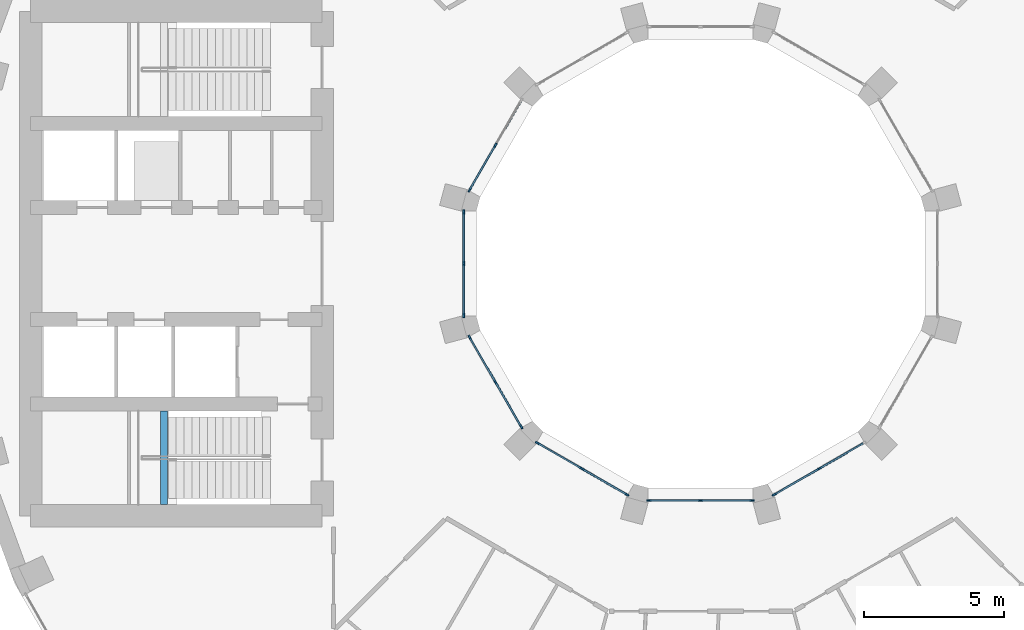
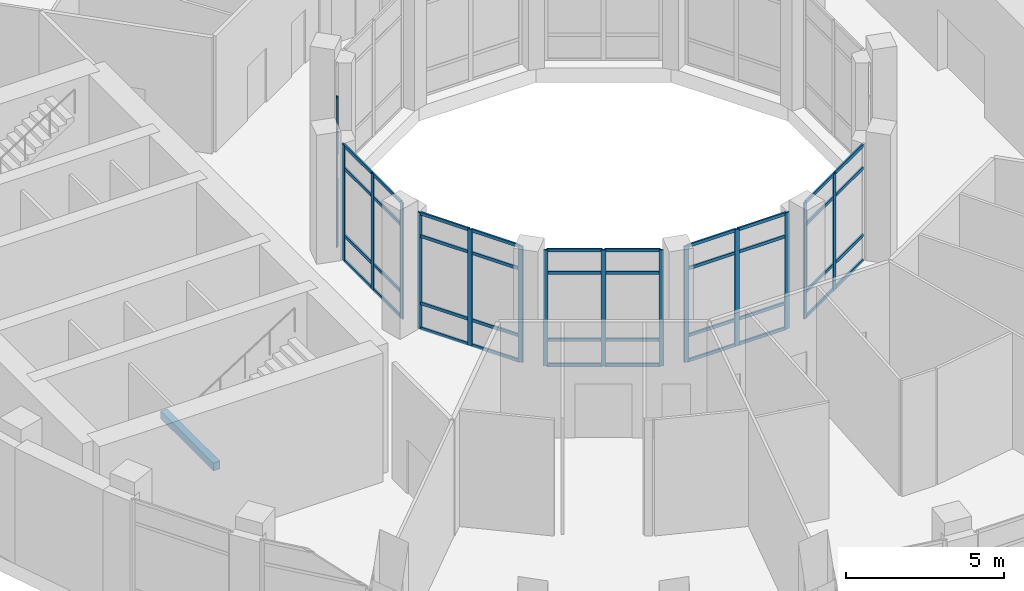
# One storey, part 3 of 18: 61 members, 1 beam, 6 elements without a shape of their own.
"""IFC4 building model written with IfcOpenShell, lengths in metres."""

from ifc_helpers import new_model, si_unit, direction, frame, origin, origin_2d, place, context, subcontext, project, spatial, rectangle, extrude, material, layer, layer_set, material_profile, profile_set, type_object, element, aggregate, save


model = new_model("IFC4")

# Units and contexts
model_context = context("Model", 3, precision=1e-05, world=origin(), true_north=direction((0.0, 1.0)))
body_context = subcontext(model_context, "Body", "Model", "MODEL_VIEW")
ifc_project = project(units=[si_unit("LENGTHUNIT", "METRE"), si_unit("AREAUNIT", "SQUARE_METRE"), si_unit("VOLUMEUNIT", "CUBIC_METRE"), si_unit("PLANEANGLEUNIT", "RADIAN"), si_unit("MASSUNIT", "GRAM", prefix="KILO")], contexts=[model_context])

# Site, building, storey
site_placement = place(None, origin())
site = spatial("IfcSite", under=ifc_project, at=site_placement, CompositionType="ELEMENT")
building_placement = place(site_placement, origin())
building = spatial("IfcBuilding", under=site, at=building_placement, Name="Saqina Gate Tower", CompositionType="ELEMENT")
storey_placement = place(building_placement, frame((0.0, 0.0, 86.89990234375)))
storey = spatial("IfcBuildingStorey", under=building, at=storey_placement, Name="L24", CompositionType="ELEMENT", Elevation=86.89990234375)

# Curtain wall, members
ifc_material_1 = material(Name="Aluminium glazing", Category="aluminium")
ifc_layer = layer(ifc_material_1, 0.159912109375)
ifc_layer_set = layer_set([ifc_layer], Name="CWT-3")
curtain_wall_type = type_object("IfcCurtainWallType", Name="CWT-3", PredefinedType="NOTDEFINED", material=ifc_layer_set)
curtain_wall_1_placement = place(storey_placement, origin())
curtain_wall_1 = element("IfcCurtainWall", 1, at=curtain_wall_1_placement, inside=storey, type_object=curtain_wall_type, Name="Sky lounge well glazing L24 facet 5", PredefinedType="NOTDEFINED")
ifc_material_2 = material(Name="Aluminium", Category="aluminium")
ifc_material_profile_1 = material_profile(ifc_material_2, rectangle(XDim=0.06005859375, YDim=0.159912109375, at=origin_2d()), Name="Aluminium 60x160")
ifc_profile_set_1 = profile_set([ifc_material_profile_1], Name="Aluminium")
member_type_1 = type_object("IfcMemberType", Name="CWT-3M", PredefinedType="MULLION", material=ifc_profile_set_1)
member_1_placement = place(storey_placement, frame((-7.31787109375, 4.22509765625, 0.0), z_axis=(0.0, 0.0, 1.0), x_axis=(0.866029166445, -0.499993482823, 0.0)))
member_1 = element("IfcMember", 2, at=member_1_placement, type_object=member_type_1, Name="CW3-05 mullion 2", PredefinedType="MULLION", context=body_context, shape_type="SweptSolid", body=[
    extrude(rectangle(XDim=0.06005859375, YDim=0.159912109375, at=origin_2d()), origin(), (0.0, 0.0, 1.0), 4.5),
])
member_2_placement = place(storey_placement, frame((-8.23974609375, 2.628173828125, 0.0), z_axis=(0.0, 0.0, 1.0), x_axis=(0.866029166445, -0.499993482823, 0.0)))
member_2 = element("IfcMember", 3, at=member_2_placement, type_object=member_type_1, Name="CW3-05 mullion 3", PredefinedType="MULLION", context=body_context, shape_type="SweptSolid", body=[
    extrude(rectangle(XDim=0.06005859375, YDim=0.159912109375, at=origin_2d()), origin(), (0.0, 0.0, 1.0), 4.5),
])

curtain_wall_2_placement = place(storey_placement, origin())
curtain_wall_2 = element("IfcCurtainWall", 4, at=curtain_wall_2_placement, inside=storey, type_object=curtain_wall_type, Name="Sky lounge well glazing L24 facet 6", PredefinedType="NOTDEFINED")
member_3_placement = place(storey_placement, frame((-8.449951171875, 1.84375, 0.0), z_axis=(0.0, 0.0, 1.0), x_axis=(1.0, 0.0, 0.0)))
member_3 = element("IfcMember", 5, at=member_3_placement, type_object=member_type_1, Name="CW3-06 mullion 1", PredefinedType="MULLION", context=body_context, shape_type="SweptSolid", body=[
    extrude(rectangle(XDim=0.06005859375, YDim=0.159912109375, at=origin_2d()), origin(), (0.0, 0.0, 1.0), 4.5),
])
member_4_placement = place(storey_placement, frame((-8.449951171875, 0.0, 0.0), z_axis=(0.0, 0.0, 1.0), x_axis=(1.0, 0.0, 0.0)))
member_4 = element("IfcMember", 6, at=member_4_placement, type_object=member_type_1, Name="CW3-06 mullion 2", PredefinedType="MULLION", context=body_context, shape_type="SweptSolid", body=[
    extrude(rectangle(XDim=0.06005859375, YDim=0.159912109375, at=origin_2d()), origin(), (0.0, 0.0, 1.0), 4.5),
])
member_5_placement = place(storey_placement, frame((-8.449951171875, -1.84375, 0.0), z_axis=(0.0, 0.0, 1.0), x_axis=(1.0, 0.0, 0.0)))
member_5 = element("IfcMember", 7, at=member_5_placement, type_object=member_type_1, Name="CW3-06 mullion 3", PredefinedType="MULLION", context=body_context, shape_type="SweptSolid", body=[
    extrude(rectangle(XDim=0.06005859375, YDim=0.159912109375, at=origin_2d()), origin(), (0.0, 0.0, 1.0), 4.5),
])

curtain_wall_3_placement = place(storey_placement, origin())
curtain_wall_3 = element("IfcCurtainWall", 8, at=curtain_wall_3_placement, inside=storey, type_object=curtain_wall_type, Name="Sky lounge well glazing L24 facet 7", PredefinedType="NOTDEFINED")
member_6_placement = place(storey_placement, frame((-8.23974609375, -2.628173828125, 0.0), z_axis=(0.0, 0.0, 1.0), x_axis=(0.866029166445, 0.499993482823, 0.0)))
member_6 = element("IfcMember", 9, at=member_6_placement, type_object=member_type_1, Name="CW3-07 mullion 1", PredefinedType="MULLION", context=body_context, shape_type="SweptSolid", body=[
    extrude(rectangle(XDim=0.06005859375, YDim=0.159912109375, at=origin_2d()), origin(), (0.0, 0.0, 1.0), 4.5),
])
member_7_placement = place(storey_placement, frame((-7.31787109375, -4.22509765625, 0.0), z_axis=(0.0, 0.0, 1.0), x_axis=(0.866029166445, 0.499993482823, 0.0)))
member_7 = element("IfcMember", 10, at=member_7_placement, type_object=member_type_1, Name="CW3-07 mullion 2", PredefinedType="MULLION", context=body_context, shape_type="SweptSolid", body=[
    extrude(rectangle(XDim=0.06005859375, YDim=0.159912109375, at=origin_2d()), origin(), (0.0, 0.0, 1.0), 4.5),
])
member_8_placement = place(storey_placement, frame((-6.39599609375, -5.82177734375, 0.0), z_axis=(0.0, 0.0, 1.0), x_axis=(0.866029166445, 0.499993482823, 0.0)))
member_8 = element("IfcMember", 11, at=member_8_placement, type_object=member_type_1, Name="CW3-07 mullion 3", PredefinedType="MULLION", context=body_context, shape_type="SweptSolid", body=[
    extrude(rectangle(XDim=0.06005859375, YDim=0.159912109375, at=origin_2d()), origin(), (0.0, 0.0, 1.0), 4.5),
])

curtain_wall_4_placement = place(storey_placement, origin())
curtain_wall_4 = element("IfcCurtainWall", 12, at=curtain_wall_4_placement, inside=storey, type_object=curtain_wall_type, Name="Sky lounge well glazing L24 facet 8", PredefinedType="NOTDEFINED")
member_9_placement = place(storey_placement, frame((-5.82177734375, -6.39599609375, 0.0), z_axis=(0.0, 0.0, 1.0), x_axis=(0.499993482823, 0.866029166445, 0.0)))
member_9 = element("IfcMember", 13, at=member_9_placement, type_object=member_type_1, Name="CW3-08 mullion 1", PredefinedType="MULLION", context=body_context, shape_type="SweptSolid", body=[
    extrude(rectangle(XDim=0.06005859375, YDim=0.159912109375, at=origin_2d()), origin(), (0.0, 0.0, 1.0), 4.5),
])
member_10_placement = place(storey_placement, frame((-4.22509765625, -7.31787109375, 0.0), z_axis=(0.0, 0.0, 1.0), x_axis=(0.499993482823, 0.866029166445, 0.0)))
member_10 = element("IfcMember", 14, at=member_10_placement, type_object=member_type_1, Name="CW3-08 mullion 2", PredefinedType="MULLION", context=body_context, shape_type="SweptSolid", body=[
    extrude(rectangle(XDim=0.06005859375, YDim=0.159912109375, at=origin_2d()), origin(), (0.0, 0.0, 1.0), 4.5),
])
member_11_placement = place(storey_placement, frame((-2.628173828125, -8.23974609375, 0.0), z_axis=(0.0, 0.0, 1.0), x_axis=(0.499993482823, 0.866029166445, 0.0)))
member_11 = element("IfcMember", 15, at=member_11_placement, type_object=member_type_1, Name="CW3-08 mullion 3", PredefinedType="MULLION", context=body_context, shape_type="SweptSolid", body=[
    extrude(rectangle(XDim=0.06005859375, YDim=0.159912109375, at=origin_2d()), origin(), (0.0, 0.0, 1.0), 4.5),
])

curtain_wall_5_placement = place(storey_placement, origin())
curtain_wall_5 = element("IfcCurtainWall", 16, at=curtain_wall_5_placement, inside=storey, type_object=curtain_wall_type, Name="Sky lounge well glazing L24 facet 9", PredefinedType="NOTDEFINED")
member_12_placement = place(storey_placement, frame((-1.84375, -8.449951171875, 0.0), z_axis=(0.0, 0.0, 1.0), x_axis=(0.0, 1.0, 0.0)))
member_12 = element("IfcMember", 17, at=member_12_placement, type_object=member_type_1, Name="CW3-09 mullion 1", PredefinedType="MULLION", context=body_context, shape_type="SweptSolid", body=[
    extrude(rectangle(XDim=0.06005859375, YDim=0.159912109375, at=origin_2d()), origin(), (0.0, 0.0, 1.0), 4.5),
])
member_13_placement = place(storey_placement, frame((0.0, -8.449951171875, 0.0), z_axis=(0.0, 0.0, 1.0), x_axis=(0.0, 1.0, 0.0)))
member_13 = element("IfcMember", 18, at=member_13_placement, type_object=member_type_1, Name="CW3-09 mullion 2", PredefinedType="MULLION", context=body_context, shape_type="SweptSolid", body=[
    extrude(rectangle(XDim=0.06005859375, YDim=0.159912109375, at=origin_2d()), origin(), (0.0, 0.0, 1.0), 4.5),
])
member_14_placement = place(storey_placement, frame((1.84375, -8.449951171875, 0.0), z_axis=(0.0, 0.0, 1.0), x_axis=(0.0, 1.0, 0.0)))
member_14 = element("IfcMember", 19, at=member_14_placement, type_object=member_type_1, Name="CW3-09 mullion 3", PredefinedType="MULLION", context=body_context, shape_type="SweptSolid", body=[
    extrude(rectangle(XDim=0.06005859375, YDim=0.159912109375, at=origin_2d()), origin(), (0.0, 0.0, 1.0), 4.5),
])

curtain_wall_6_placement = place(storey_placement, origin())
curtain_wall_6 = element("IfcCurtainWall", 20, at=curtain_wall_6_placement, inside=storey, type_object=curtain_wall_type, Name="Sky lounge well glazing L24 facet 10", PredefinedType="NOTDEFINED")
member_15_placement = place(storey_placement, frame((2.628173828125, -8.23974609375, 0.0), z_axis=(0.0, 0.0, 1.0), x_axis=(-0.499993482823, 0.866029166445, 0.0)))
member_15 = element("IfcMember", 21, at=member_15_placement, type_object=member_type_1, Name="CW3-10 mullion 1", PredefinedType="MULLION", context=body_context, shape_type="SweptSolid", body=[
    extrude(rectangle(XDim=0.06005859375, YDim=0.159912109375, at=origin_2d()), origin(), (0.0, 0.0, 1.0), 4.5),
])
member_16_placement = place(storey_placement, frame((4.22509765625, -7.31787109375, 0.0), z_axis=(0.0, 0.0, 1.0), x_axis=(-0.499993482823, 0.866029166445, 0.0)))
member_16 = element("IfcMember", 22, at=member_16_placement, type_object=member_type_1, Name="CW3-10 mullion 2", PredefinedType="MULLION", context=body_context, shape_type="SweptSolid", body=[
    extrude(rectangle(XDim=0.06005859375, YDim=0.159912109375, at=origin_2d()), origin(), (0.0, 0.0, 1.0), 4.5),
])

# Member
ifc_material_3 = material(Name="Aluminium", Category="aluminium")
ifc_material_profile_2 = material_profile(ifc_material_3, rectangle(XDim=0.06005859375, YDim=0.1201171875, at=origin_2d()), Name="Aluminium 60x120")
ifc_profile_set_2 = profile_set([ifc_material_profile_2], Name="Aluminium")
member_type_2 = type_object("IfcMemberType", Name="CWT-3T", PredefinedType="USERDEFINED", material=ifc_profile_set_2)
member_17_placement = place(storey_placement, frame((-6.4111328125, 5.795654296875, 0.030029296875), z_axis=(-0.500010763282, -0.866019189511, 0.0), x_axis=(0.866019189511, -0.500010763282, 0.0)))
member_17 = element("IfcMember", 23, at=member_17_placement, type_object=member_type_2, Name="CW3-05 transom 1.1", ObjectType="TRANSOM", PredefinedType="USERDEFINED", context=body_context, shape_type="SweptSolid", body=[
    extrude(rectangle(XDim=0.06005859375, YDim=0.1201171875, at=origin_2d()), origin(), (0.0, 0.0, 1.0), 1.78369140625),
])

member_18_placement = place(storey_placement, frame((-7.3330078125, 4.198974609375, 0.030029296875), z_axis=(-0.500010763282, -0.866019189511, 0.0), x_axis=(0.866019189511, -0.500010763282, 0.0)))
member_18 = element("IfcMember", 24, at=member_18_placement, type_object=member_type_2, Name="CW3-05 transom 2.1", ObjectType="TRANSOM", PredefinedType="USERDEFINED", context=body_context, shape_type="SweptSolid", body=[
    extrude(rectangle(XDim=0.06005859375, YDim=0.1201171875, at=origin_2d()), origin(), (0.0, 0.0, 1.0), 1.78369140625),
])

member_19_placement = place(storey_placement, frame((-7.3330078125, 4.198974609375, 1.0), z_axis=(-0.500010763282, -0.866019189511, 0.0), x_axis=(0.866019189511, -0.500010763282, 0.0)))
member_19 = element("IfcMember", 25, at=member_19_placement, type_object=member_type_2, Name="CW3-05 transom 2.2", ObjectType="TRANSOM", PredefinedType="USERDEFINED", context=body_context, shape_type="SweptSolid", body=[
    extrude(rectangle(XDim=0.06005859375, YDim=0.1201171875, at=origin_2d()), origin(), (0.0, 0.0, 1.0), 1.78369140625),
])

member_20_placement = place(storey_placement, frame((-7.3330078125, 4.198974609375, 3.60009765625), z_axis=(-0.500010763282, -0.866019189511, 0.0), x_axis=(0.866019189511, -0.500010763282, 0.0)))
member_20 = element("IfcMember", 26, at=member_20_placement, type_object=member_type_2, Name="CW3-05 transom 2.3", ObjectType="TRANSOM", PredefinedType="USERDEFINED", context=body_context, shape_type="SweptSolid", body=[
    extrude(rectangle(XDim=0.06005859375, YDim=0.1201171875, at=origin_2d()), origin(), (0.0, 0.0, 1.0), 1.78369140625),
])

member_21_placement = place(storey_placement, frame((-7.3330078125, 4.198974609375, 4.47021484375), z_axis=(-0.500010763282, -0.866019189511, 0.0), x_axis=(0.866019189511, -0.500010763282, 0.0)))
member_21 = element("IfcMember", 27, at=member_21_placement, type_object=member_type_2, Name="CW3-05 transom 2.4", ObjectType="TRANSOM", PredefinedType="USERDEFINED", context=body_context, shape_type="SweptSolid", body=[
    extrude(rectangle(XDim=0.06005859375, YDim=0.1201171875, at=origin_2d()), origin(), (0.0, 0.0, 1.0), 1.78369140625),
])

aggregate(curtain_wall_1, [member_1, member_2, member_17, member_18, member_19, member_20, member_21])

member_22_placement = place(storey_placement, frame((-8.449951171875, 1.813720703125, 0.030029296875), z_axis=(0.0, -1.0, 0.0), x_axis=(1.0, 0.0, 0.0)))
member_22 = element("IfcMember", 28, at=member_22_placement, type_object=member_type_2, Name="CW3-06 transom 1.1", ObjectType="TRANSOM", PredefinedType="USERDEFINED", context=body_context, shape_type="SweptSolid", body=[
    extrude(rectangle(XDim=0.06005859375, YDim=0.1201171875, at=origin_2d()), origin(), (0.0, 0.0, 1.0), 1.78369140625),
])

member_23_placement = place(storey_placement, frame((-8.449951171875, 1.813720703125, 1.0), z_axis=(0.0, -1.0, 0.0), x_axis=(1.0, 0.0, 0.0)))
member_23 = element("IfcMember", 29, at=member_23_placement, type_object=member_type_2, Name="CW3-06 transom 1.2", ObjectType="TRANSOM", PredefinedType="USERDEFINED", context=body_context, shape_type="SweptSolid", body=[
    extrude(rectangle(XDim=0.06005859375, YDim=0.1201171875, at=origin_2d()), origin(), (0.0, 0.0, 1.0), 1.78369140625),
])

member_24_placement = place(storey_placement, frame((-8.449951171875, 1.813720703125, 3.60009765625), z_axis=(0.0, -1.0, 0.0), x_axis=(1.0, 0.0, 0.0)))
member_24 = element("IfcMember", 30, at=member_24_placement, type_object=member_type_2, Name="CW3-06 transom 1.3", ObjectType="TRANSOM", PredefinedType="USERDEFINED", context=body_context, shape_type="SweptSolid", body=[
    extrude(rectangle(XDim=0.06005859375, YDim=0.1201171875, at=origin_2d()), origin(), (0.0, 0.0, 1.0), 1.78369140625),
])

member_25_placement = place(storey_placement, frame((-8.449951171875, 1.813720703125, 4.47021484375), z_axis=(0.0, -1.0, 0.0), x_axis=(1.0, 0.0, 0.0)))
member_25 = element("IfcMember", 31, at=member_25_placement, type_object=member_type_2, Name="CW3-06 transom 1.4", ObjectType="TRANSOM", PredefinedType="USERDEFINED", context=body_context, shape_type="SweptSolid", body=[
    extrude(rectangle(XDim=0.06005859375, YDim=0.1201171875, at=origin_2d()), origin(), (0.0, 0.0, 1.0), 1.78369140625),
])

member_26_placement = place(storey_placement, frame((-8.449951171875, -0.030029296875, 0.030029296875), z_axis=(0.0, -1.0, 0.0), x_axis=(1.0, 0.0, 0.0)))
member_26 = element("IfcMember", 32, at=member_26_placement, type_object=member_type_2, Name="CW3-06 transom 2.1", ObjectType="TRANSOM", PredefinedType="USERDEFINED", context=body_context, shape_type="SweptSolid", body=[
    extrude(rectangle(XDim=0.06005859375, YDim=0.1201171875, at=origin_2d()), origin(), (0.0, 0.0, 1.0), 1.78369140625),
])

member_27_placement = place(storey_placement, frame((-8.449951171875, -0.030029296875, 1.0), z_axis=(0.0, -1.0, 0.0), x_axis=(1.0, 0.0, 0.0)))
member_27 = element("IfcMember", 33, at=member_27_placement, type_object=member_type_2, Name="CW3-06 transom 2.2", ObjectType="TRANSOM", PredefinedType="USERDEFINED", context=body_context, shape_type="SweptSolid", body=[
    extrude(rectangle(XDim=0.06005859375, YDim=0.1201171875, at=origin_2d()), origin(), (0.0, 0.0, 1.0), 1.78369140625),
])

member_28_placement = place(storey_placement, frame((-8.449951171875, -0.030029296875, 3.60009765625), z_axis=(0.0, -1.0, 0.0), x_axis=(1.0, 0.0, 0.0)))
member_28 = element("IfcMember", 34, at=member_28_placement, type_object=member_type_2, Name="CW3-06 transom 2.3", ObjectType="TRANSOM", PredefinedType="USERDEFINED", context=body_context, shape_type="SweptSolid", body=[
    extrude(rectangle(XDim=0.06005859375, YDim=0.1201171875, at=origin_2d()), origin(), (0.0, 0.0, 1.0), 1.78369140625),
])

member_29_placement = place(storey_placement, frame((-8.449951171875, -0.030029296875, 4.47021484375), z_axis=(0.0, -1.0, 0.0), x_axis=(1.0, 0.0, 0.0)))
member_29 = element("IfcMember", 35, at=member_29_placement, type_object=member_type_2, Name="CW3-06 transom 2.4", ObjectType="TRANSOM", PredefinedType="USERDEFINED", context=body_context, shape_type="SweptSolid", body=[
    extrude(rectangle(XDim=0.06005859375, YDim=0.1201171875, at=origin_2d()), origin(), (0.0, 0.0, 1.0), 1.78369140625),
])

aggregate(curtain_wall_2, [member_3, member_4, member_5, member_22, member_23, member_24, member_25, member_26, member_27, member_28, member_29])

member_30_placement = place(storey_placement, frame((-8.224853515625, -2.654296875, 0.030029296875), z_axis=(0.500010763282, -0.866019189511, 0.0), x_axis=(0.866019189511, 0.500010763282, 0.0)))
member_30 = element("IfcMember", 36, at=member_30_placement, type_object=member_type_2, Name="CW3-07 transom 1.1", ObjectType="TRANSOM", PredefinedType="USERDEFINED", context=body_context, shape_type="SweptSolid", body=[
    extrude(rectangle(XDim=0.06005859375, YDim=0.1201171875, at=origin_2d()), origin(), (0.0, 0.0, 1.0), 1.78369140625),
])

member_31_placement = place(storey_placement, frame((-8.224853515625, -2.654296875, 1.0), z_axis=(0.500010763282, -0.866019189511, 0.0), x_axis=(0.866019189511, 0.500010763282, 0.0)))
member_31 = element("IfcMember", 37, at=member_31_placement, type_object=member_type_2, Name="CW3-07 transom 1.2", ObjectType="TRANSOM", PredefinedType="USERDEFINED", context=body_context, shape_type="SweptSolid", body=[
    extrude(rectangle(XDim=0.06005859375, YDim=0.1201171875, at=origin_2d()), origin(), (0.0, 0.0, 1.0), 1.78369140625),
])

member_32_placement = place(storey_placement, frame((-8.224853515625, -2.654296875, 3.60009765625), z_axis=(0.500010763282, -0.866019189511, 0.0), x_axis=(0.866019189511, 0.500010763282, 0.0)))
member_32 = element("IfcMember", 38, at=member_32_placement, type_object=member_type_2, Name="CW3-07 transom 1.3", ObjectType="TRANSOM", PredefinedType="USERDEFINED", context=body_context, shape_type="SweptSolid", body=[
    extrude(rectangle(XDim=0.06005859375, YDim=0.1201171875, at=origin_2d()), origin(), (0.0, 0.0, 1.0), 1.78369140625),
])

member_33_placement = place(storey_placement, frame((-8.224853515625, -2.654296875, 4.47021484375), z_axis=(0.500010763282, -0.866019189511, 0.0), x_axis=(0.866019189511, 0.500010763282, 0.0)))
member_33 = element("IfcMember", 39, at=member_33_placement, type_object=member_type_2, Name="CW3-07 transom 1.4", ObjectType="TRANSOM", PredefinedType="USERDEFINED", context=body_context, shape_type="SweptSolid", body=[
    extrude(rectangle(XDim=0.06005859375, YDim=0.1201171875, at=origin_2d()), origin(), (0.0, 0.0, 1.0), 1.78369140625),
])

member_34_placement = place(storey_placement, frame((-7.302978515625, -4.2509765625, 0.030029296875), z_axis=(0.500010763282, -0.866019189511, 0.0), x_axis=(0.866019189511, 0.500010763282, 0.0)))
member_34 = element("IfcMember", 40, at=member_34_placement, type_object=member_type_2, Name="CW3-07 transom 2.1", ObjectType="TRANSOM", PredefinedType="USERDEFINED", context=body_context, shape_type="SweptSolid", body=[
    extrude(rectangle(XDim=0.06005859375, YDim=0.1201171875, at=origin_2d()), origin(), (0.0, 0.0, 1.0), 1.78369140625),
])

member_35_placement = place(storey_placement, frame((-7.302978515625, -4.2509765625, 1.0), z_axis=(0.500010763282, -0.866019189511, 0.0), x_axis=(0.866019189511, 0.500010763282, 0.0)))
member_35 = element("IfcMember", 41, at=member_35_placement, type_object=member_type_2, Name="CW3-07 transom 2.2", ObjectType="TRANSOM", PredefinedType="USERDEFINED", context=body_context, shape_type="SweptSolid", body=[
    extrude(rectangle(XDim=0.06005859375, YDim=0.1201171875, at=origin_2d()), origin(), (0.0, 0.0, 1.0), 1.78369140625),
])

member_36_placement = place(storey_placement, frame((-7.302978515625, -4.2509765625, 3.60009765625), z_axis=(0.500010763282, -0.866019189511, 0.0), x_axis=(0.866019189511, 0.500010763282, 0.0)))
member_36 = element("IfcMember", 42, at=member_36_placement, type_object=member_type_2, Name="CW3-07 transom 2.3", ObjectType="TRANSOM", PredefinedType="USERDEFINED", context=body_context, shape_type="SweptSolid", body=[
    extrude(rectangle(XDim=0.06005859375, YDim=0.1201171875, at=origin_2d()), origin(), (0.0, 0.0, 1.0), 1.78369140625),
])

member_37_placement = place(storey_placement, frame((-7.302978515625, -4.2509765625, 4.47021484375), z_axis=(0.500010763282, -0.866019189511, 0.0), x_axis=(0.866019189511, 0.500010763282, 0.0)))
member_37 = element("IfcMember", 43, at=member_37_placement, type_object=member_type_2, Name="CW3-07 transom 2.4", ObjectType="TRANSOM", PredefinedType="USERDEFINED", context=body_context, shape_type="SweptSolid", body=[
    extrude(rectangle(XDim=0.06005859375, YDim=0.1201171875, at=origin_2d()), origin(), (0.0, 0.0, 1.0), 1.78369140625),
])

aggregate(curtain_wall_3, [member_6, member_7, member_8, member_30, member_31, member_32, member_33, member_34, member_35, member_36, member_37])

member_38_placement = place(storey_placement, frame((-5.795654296875, -6.4111328125, 0.030029296875), z_axis=(0.866019189511, -0.500010763282, 0.0), x_axis=(0.500010763282, 0.866019189511, 0.0)))
member_38 = element("IfcMember", 44, at=member_38_placement, type_object=member_type_2, Name="CW3-08 transom 1.1", ObjectType="TRANSOM", PredefinedType="USERDEFINED", context=body_context, shape_type="SweptSolid", body=[
    extrude(rectangle(XDim=0.06005859375, YDim=0.1201171875, at=origin_2d()), origin(), (0.0, 0.0, 1.0), 1.78369140625),
])

member_39_placement = place(storey_placement, frame((-5.795654296875, -6.4111328125, 1.0), z_axis=(0.866019189511, -0.500010763282, 0.0), x_axis=(0.500010763282, 0.866019189511, 0.0)))
member_39 = element("IfcMember", 45, at=member_39_placement, type_object=member_type_2, Name="CW3-08 transom 1.2", ObjectType="TRANSOM", PredefinedType="USERDEFINED", context=body_context, shape_type="SweptSolid", body=[
    extrude(rectangle(XDim=0.06005859375, YDim=0.1201171875, at=origin_2d()), origin(), (0.0, 0.0, 1.0), 1.78369140625),
])

member_40_placement = place(storey_placement, frame((-5.795654296875, -6.4111328125, 3.60009765625), z_axis=(0.866019189511, -0.500010763282, 0.0), x_axis=(0.500010763282, 0.866019189511, 0.0)))
member_40 = element("IfcMember", 46, at=member_40_placement, type_object=member_type_2, Name="CW3-08 transom 1.3", ObjectType="TRANSOM", PredefinedType="USERDEFINED", context=body_context, shape_type="SweptSolid", body=[
    extrude(rectangle(XDim=0.06005859375, YDim=0.1201171875, at=origin_2d()), origin(), (0.0, 0.0, 1.0), 1.78369140625),
])

member_41_placement = place(storey_placement, frame((-5.795654296875, -6.4111328125, 4.47021484375), z_axis=(0.866019189511, -0.500010763282, 0.0), x_axis=(0.500010763282, 0.866019189511, 0.0)))
member_41 = element("IfcMember", 47, at=member_41_placement, type_object=member_type_2, Name="CW3-08 transom 1.4", ObjectType="TRANSOM", PredefinedType="USERDEFINED", context=body_context, shape_type="SweptSolid", body=[
    extrude(rectangle(XDim=0.06005859375, YDim=0.1201171875, at=origin_2d()), origin(), (0.0, 0.0, 1.0), 1.78369140625),
])

member_42_placement = place(storey_placement, frame((-4.198974609375, -7.3330078125, 0.030029296875), z_axis=(0.866019189511, -0.500010763282, 0.0), x_axis=(0.500010763282, 0.866019189511, 0.0)))
member_42 = element("IfcMember", 48, at=member_42_placement, type_object=member_type_2, Name="CW3-08 transom 2.1", ObjectType="TRANSOM", PredefinedType="USERDEFINED", context=body_context, shape_type="SweptSolid", body=[
    extrude(rectangle(XDim=0.06005859375, YDim=0.1201171875, at=origin_2d()), origin(), (0.0, 0.0, 1.0), 1.78369140625),
])

member_43_placement = place(storey_placement, frame((-4.198974609375, -7.3330078125, 1.0), z_axis=(0.866019189511, -0.500010763282, 0.0), x_axis=(0.500010763282, 0.866019189511, 0.0)))
member_43 = element("IfcMember", 49, at=member_43_placement, type_object=member_type_2, Name="CW3-08 transom 2.2", ObjectType="TRANSOM", PredefinedType="USERDEFINED", context=body_context, shape_type="SweptSolid", body=[
    extrude(rectangle(XDim=0.06005859375, YDim=0.1201171875, at=origin_2d()), origin(), (0.0, 0.0, 1.0), 1.78369140625),
])

member_44_placement = place(storey_placement, frame((-4.198974609375, -7.3330078125, 3.60009765625), z_axis=(0.866019189511, -0.500010763282, 0.0), x_axis=(0.500010763282, 0.866019189511, 0.0)))
member_44 = element("IfcMember", 50, at=member_44_placement, type_object=member_type_2, Name="CW3-08 transom 2.3", ObjectType="TRANSOM", PredefinedType="USERDEFINED", context=body_context, shape_type="SweptSolid", body=[
    extrude(rectangle(XDim=0.06005859375, YDim=0.1201171875, at=origin_2d()), origin(), (0.0, 0.0, 1.0), 1.78369140625),
])

member_45_placement = place(storey_placement, frame((-4.198974609375, -7.3330078125, 4.47021484375), z_axis=(0.866019189511, -0.500010763282, 0.0), x_axis=(0.500010763282, 0.866019189511, 0.0)))
member_45 = element("IfcMember", 51, at=member_45_placement, type_object=member_type_2, Name="CW3-08 transom 2.4", ObjectType="TRANSOM", PredefinedType="USERDEFINED", context=body_context, shape_type="SweptSolid", body=[
    extrude(rectangle(XDim=0.06005859375, YDim=0.1201171875, at=origin_2d()), origin(), (0.0, 0.0, 1.0), 1.78369140625),
])

aggregate(curtain_wall_4, [member_9, member_10, member_11, member_38, member_39, member_40, member_41, member_42, member_43, member_44, member_45])

member_46_placement = place(storey_placement, frame((-1.813720703125, -8.449951171875, 0.030029296875), z_axis=(1.0, 0.0, 0.0), x_axis=(0.0, 1.0, 0.0)))
member_46 = element("IfcMember", 52, at=member_46_placement, type_object=member_type_2, Name="CW3-09 transom 1.1", ObjectType="TRANSOM", PredefinedType="USERDEFINED", context=body_context, shape_type="SweptSolid", body=[
    extrude(rectangle(XDim=0.06005859375, YDim=0.1201171875, at=origin_2d()), origin(), (0.0, 0.0, 1.0), 1.78369140625),
])

member_47_placement = place(storey_placement, frame((-1.813720703125, -8.449951171875, 1.0), z_axis=(1.0, 0.0, 0.0), x_axis=(0.0, 1.0, 0.0)))
member_47 = element("IfcMember", 53, at=member_47_placement, type_object=member_type_2, Name="CW3-09 transom 1.2", ObjectType="TRANSOM", PredefinedType="USERDEFINED", context=body_context, shape_type="SweptSolid", body=[
    extrude(rectangle(XDim=0.06005859375, YDim=0.1201171875, at=origin_2d()), origin(), (0.0, 0.0, 1.0), 1.78369140625),
])

member_48_placement = place(storey_placement, frame((-1.813720703125, -8.449951171875, 3.60009765625), z_axis=(1.0, 0.0, 0.0), x_axis=(0.0, 1.0, 0.0)))
member_48 = element("IfcMember", 54, at=member_48_placement, type_object=member_type_2, Name="CW3-09 transom 1.3", ObjectType="TRANSOM", PredefinedType="USERDEFINED", context=body_context, shape_type="SweptSolid", body=[
    extrude(rectangle(XDim=0.06005859375, YDim=0.1201171875, at=origin_2d()), origin(), (0.0, 0.0, 1.0), 1.78369140625),
])

member_49_placement = place(storey_placement, frame((-1.813720703125, -8.449951171875, 4.47021484375), z_axis=(1.0, 0.0, 0.0), x_axis=(0.0, 1.0, 0.0)))
member_49 = element("IfcMember", 55, at=member_49_placement, type_object=member_type_2, Name="CW3-09 transom 1.4", ObjectType="TRANSOM", PredefinedType="USERDEFINED", context=body_context, shape_type="SweptSolid", body=[
    extrude(rectangle(XDim=0.06005859375, YDim=0.1201171875, at=origin_2d()), origin(), (0.0, 0.0, 1.0), 1.78369140625),
])

member_50_placement = place(storey_placement, frame((0.030029296875, -8.449951171875, 0.030029296875), z_axis=(1.0, 0.0, 0.0), x_axis=(0.0, 1.0, 0.0)))
member_50 = element("IfcMember", 56, at=member_50_placement, type_object=member_type_2, Name="CW3-09 transom 2.1", ObjectType="TRANSOM", PredefinedType="USERDEFINED", context=body_context, shape_type="SweptSolid", body=[
    extrude(rectangle(XDim=0.06005859375, YDim=0.1201171875, at=origin_2d()), origin(), (0.0, 0.0, 1.0), 1.78369140625),
])

member_51_placement = place(storey_placement, frame((0.030029296875, -8.449951171875, 1.0), z_axis=(1.0, 0.0, 0.0), x_axis=(0.0, 1.0, 0.0)))
member_51 = element("IfcMember", 57, at=member_51_placement, type_object=member_type_2, Name="CW3-09 transom 2.2", ObjectType="TRANSOM", PredefinedType="USERDEFINED", context=body_context, shape_type="SweptSolid", body=[
    extrude(rectangle(XDim=0.06005859375, YDim=0.1201171875, at=origin_2d()), origin(), (0.0, 0.0, 1.0), 1.78369140625),
])

member_52_placement = place(storey_placement, frame((0.030029296875, -8.449951171875, 3.60009765625), z_axis=(1.0, 0.0, 0.0), x_axis=(0.0, 1.0, 0.0)))
member_52 = element("IfcMember", 58, at=member_52_placement, type_object=member_type_2, Name="CW3-09 transom 2.3", ObjectType="TRANSOM", PredefinedType="USERDEFINED", context=body_context, shape_type="SweptSolid", body=[
    extrude(rectangle(XDim=0.06005859375, YDim=0.1201171875, at=origin_2d()), origin(), (0.0, 0.0, 1.0), 1.78369140625),
])

member_53_placement = place(storey_placement, frame((0.030029296875, -8.449951171875, 4.47021484375), z_axis=(1.0, 0.0, 0.0), x_axis=(0.0, 1.0, 0.0)))
member_53 = element("IfcMember", 59, at=member_53_placement, type_object=member_type_2, Name="CW3-09 transom 2.4", ObjectType="TRANSOM", PredefinedType="USERDEFINED", context=body_context, shape_type="SweptSolid", body=[
    extrude(rectangle(XDim=0.06005859375, YDim=0.1201171875, at=origin_2d()), origin(), (0.0, 0.0, 1.0), 1.78369140625),
])

aggregate(curtain_wall_5, [member_12, member_13, member_14, member_46, member_47, member_48, member_49, member_50, member_51, member_52, member_53])

member_54_placement = place(storey_placement, frame((2.654296875, -8.224853515625, 0.030029296875), z_axis=(0.866019189511, 0.500010763282, 0.0), x_axis=(-0.500010763282, 0.866019189511, 0.0)))
member_54 = element("IfcMember", 60, at=member_54_placement, type_object=member_type_2, Name="CW3-10 transom 1.1", ObjectType="TRANSOM", PredefinedType="USERDEFINED", context=body_context, shape_type="SweptSolid", body=[
    extrude(rectangle(XDim=0.06005859375, YDim=0.1201171875, at=origin_2d()), origin(), (0.0, 0.0, 1.0), 1.78369140625),
])

member_55_placement = place(storey_placement, frame((2.654296875, -8.224853515625, 1.0), z_axis=(0.866019189511, 0.500010763282, 0.0), x_axis=(-0.500010763282, 0.866019189511, 0.0)))
member_55 = element("IfcMember", 61, at=member_55_placement, type_object=member_type_2, Name="CW3-10 transom 1.2", ObjectType="TRANSOM", PredefinedType="USERDEFINED", context=body_context, shape_type="SweptSolid", body=[
    extrude(rectangle(XDim=0.06005859375, YDim=0.1201171875, at=origin_2d()), origin(), (0.0, 0.0, 1.0), 1.78369140625),
])

member_56_placement = place(storey_placement, frame((2.654296875, -8.224853515625, 3.60009765625), z_axis=(0.866019189511, 0.500010763282, 0.0), x_axis=(-0.500010763282, 0.866019189511, 0.0)))
member_56 = element("IfcMember", 62, at=member_56_placement, type_object=member_type_2, Name="CW3-10 transom 1.3", ObjectType="TRANSOM", PredefinedType="USERDEFINED", context=body_context, shape_type="SweptSolid", body=[
    extrude(rectangle(XDim=0.06005859375, YDim=0.1201171875, at=origin_2d()), origin(), (0.0, 0.0, 1.0), 1.78369140625),
])

member_57_placement = place(storey_placement, frame((2.654296875, -8.224853515625, 4.47021484375), z_axis=(0.866019189511, 0.500010763282, 0.0), x_axis=(-0.500010763282, 0.866019189511, 0.0)))
member_57 = element("IfcMember", 63, at=member_57_placement, type_object=member_type_2, Name="CW3-10 transom 1.4", ObjectType="TRANSOM", PredefinedType="USERDEFINED", context=body_context, shape_type="SweptSolid", body=[
    extrude(rectangle(XDim=0.06005859375, YDim=0.1201171875, at=origin_2d()), origin(), (0.0, 0.0, 1.0), 1.78369140625),
])

member_58_placement = place(storey_placement, frame((4.2509765625, -7.302978515625, 0.030029296875), z_axis=(0.866019189511, 0.500010763282, 0.0), x_axis=(-0.500010763282, 0.866019189511, 0.0)))
member_58 = element("IfcMember", 64, at=member_58_placement, type_object=member_type_2, Name="CW3-10 transom 2.1", ObjectType="TRANSOM", PredefinedType="USERDEFINED", context=body_context, shape_type="SweptSolid", body=[
    extrude(rectangle(XDim=0.06005859375, YDim=0.1201171875, at=origin_2d()), origin(), (0.0, 0.0, 1.0), 1.78369140625),
])

member_59_placement = place(storey_placement, frame((4.2509765625, -7.302978515625, 1.0), z_axis=(0.866019189511, 0.500010763282, 0.0), x_axis=(-0.500010763282, 0.866019189511, 0.0)))
member_59 = element("IfcMember", 65, at=member_59_placement, type_object=member_type_2, Name="CW3-10 transom 2.2", ObjectType="TRANSOM", PredefinedType="USERDEFINED", context=body_context, shape_type="SweptSolid", body=[
    extrude(rectangle(XDim=0.06005859375, YDim=0.1201171875, at=origin_2d()), origin(), (0.0, 0.0, 1.0), 1.78369140625),
])

member_60_placement = place(storey_placement, frame((4.2509765625, -7.302978515625, 3.60009765625), z_axis=(0.866019189511, 0.500010763282, 0.0), x_axis=(-0.500010763282, 0.866019189511, 0.0)))
member_60 = element("IfcMember", 66, at=member_60_placement, type_object=member_type_2, Name="CW3-10 transom 2.3", ObjectType="TRANSOM", PredefinedType="USERDEFINED", context=body_context, shape_type="SweptSolid", body=[
    extrude(rectangle(XDim=0.06005859375, YDim=0.1201171875, at=origin_2d()), origin(), (0.0, 0.0, 1.0), 1.78369140625),
])

member_61_placement = place(storey_placement, frame((4.2509765625, -7.302978515625, 4.47021484375), z_axis=(0.866019189511, 0.500010763282, 0.0), x_axis=(-0.500010763282, 0.866019189511, 0.0)))
member_61 = element("IfcMember", 67, at=member_61_placement, type_object=member_type_2, Name="CW3-10 transom 2.4", ObjectType="TRANSOM", PredefinedType="USERDEFINED", context=body_context, shape_type="SweptSolid", body=[
    extrude(rectangle(XDim=0.06005859375, YDim=0.1201171875, at=origin_2d()), origin(), (0.0, 0.0, 1.0), 1.78369140625),
])

aggregate(curtain_wall_6, [member_15, member_16, member_54, member_55, member_56, member_57, member_58, member_59, member_60, member_61])

# Beam
ifc_material_4 = material(Name="Concrete C40/50", Category="concrete")
ifc_material_profile_3 = material_profile(ifc_material_4, rectangle(XDim=0.25, YDim=0.300048828125, at=origin_2d()), Name="STAIR LANDING BEAM")
ifc_profile_set_3 = profile_set([ifc_material_profile_3], Name="Concrete C40/50")
beam_type = type_object("IfcBeamType", Name="STAIR LANDING BEAM", PredefinedType="BEAM", material=ifc_profile_set_3)
beam_placement = place(storey_placement, frame((-19.139892578125, -8.60009765625, 2.10009765625), z_axis=(0.0, 1.0, 0.0), x_axis=(-1.0, 0.0, 0.0)))
element("IfcBeam", 68, at=beam_placement, inside=storey, type_object=beam_type, Name="EXIT STAIR 4 LANDING BEAM", PredefinedType="BEAM", context=body_context, shape_type="SweptSolid", body=[
    extrude(rectangle(XDim=0.25, YDim=0.300048828125, at=origin_2d()), origin(), (0.0, 0.0, 1.0), 3.35009765625),
])

save(model, "model.ifc")
